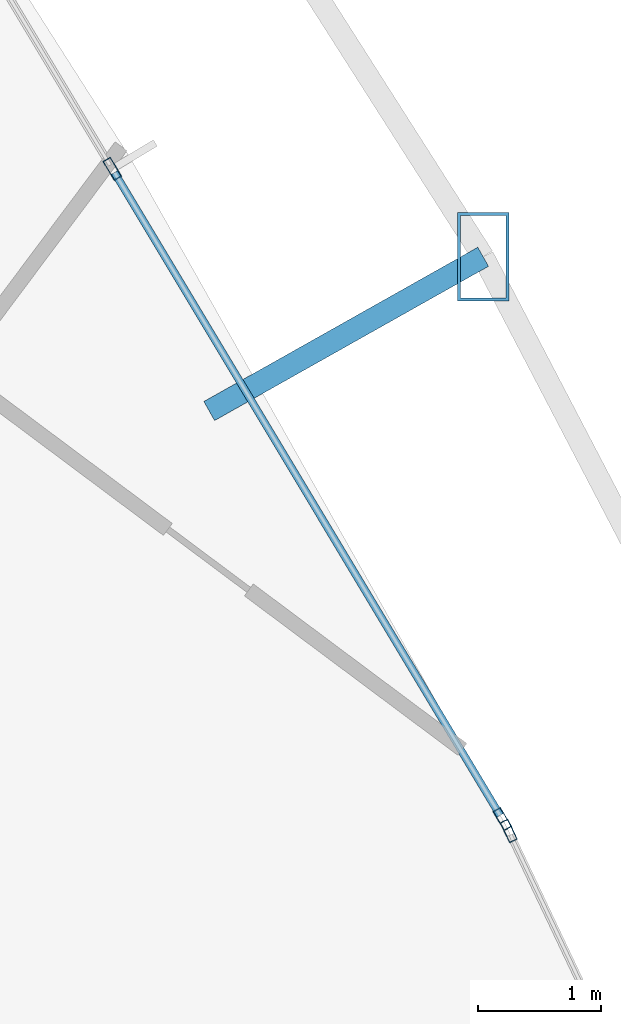
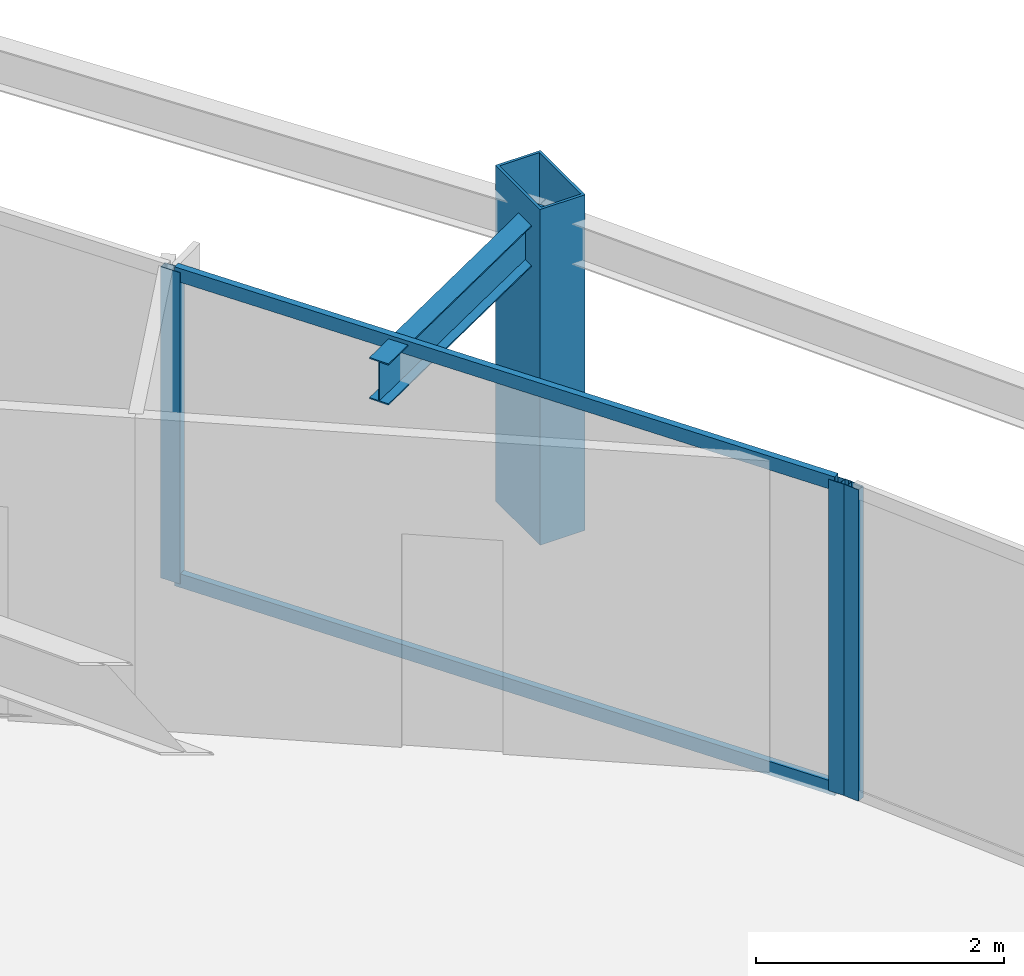
# One storey, part 18 of 34: 6 members, 1 beam, 2 elements without a shape of their own.
"""IFC4 building model written with IfcOpenShell, lengths in metres."""

import ifcopenshell
import ifcopenshell.guid

model = None  # the IFC model being written
_history = None  # IfcOwnerHistory: only IFC2X3 demands one
_inside = {}  # id of a spatial element -> (the spatial element, [elements in it])
_under = {}  # id of a project, library or spatial element -> (it, [spatial elements below it])
_declared = {}  # id of a project -> (the project, [libraries it declares])
_typed = {}  # id of a type object -> (the type object, [elements of that type])
_made_of = {}  # id of a material, layer set ... -> (it, [elements and type objects made of it])


def new_model(schema):
    """Start an empty IFC model of exactly this schema.

    Asked for "IFC4X3", IfcOpenShell would pick the latest addendum, in which some entities
    have other attributes; the version numbers below select the first issue.
    IFC2X3 requires an IfcOwnerHistory on every rooted entity: one is made here for all.
    """
    global model, _history
    if schema == "IFC4X3":
        model = ifcopenshell.file(schema_version=(4, 3, 0, 0))
    else:
        model = ifcopenshell.file(schema=schema)
    _inside.clear()
    _under.clear()
    _declared.clear()
    _typed.clear()
    _made_of.clear()
    _history = None
    if model.schema == "IFC2X3":
        org = make("IfcOrganization", Name="unknown")
        user = make(
            "IfcPersonAndOrganization",
            ThePerson=make("IfcPerson", FamilyName="unknown"),
            TheOrganization=org,
        )
        app = make(
            "IfcApplication",
            ApplicationDeveloper=org,
            Version="unknown",
            ApplicationFullName="unknown",
            ApplicationIdentifier="unknown",
        )
        _history = make(
            "IfcOwnerHistory",
            OwningUser=user,
            OwningApplication=app,
            ChangeAction="ADDED",
            CreationDate=0,
        )
    return model


def make(cls, **values):
    """One entity of the class cls with the attributes given. An attribute that is None is left unset."""
    return model.create_entity(
        cls, **{name: value for name, value in values.items() if value is not None}
    )


def rooted(cls, **values):
    """An entity with a GlobalId (a new one), such as an element, a storey or a relation."""
    return make(cls, GlobalId=ifcopenshell.guid.new(), OwnerHistory=_history, **values)


def si_unit(unit_type, name, prefix=None):
    """IfcSIUnit, for example si_unit("LENGTHUNIT", "METRE", prefix="MILLI")."""
    return make("IfcSIUnit", UnitType=unit_type, Prefix=prefix, Name=name)


def assignment(units):
    """IfcUnitAssignment: the units of a project."""
    return None if units is None else make("IfcUnitAssignment", Units=units)


def point(xyz):
    """IfcCartesianPoint."""
    return None if xyz is None else make("IfcCartesianPoint", Coordinates=xyz)


def direction(xyz):
    """IfcDirection."""
    return None if xyz is None else make("IfcDirection", DirectionRatios=xyz)


def frame(location, z_axis=None, x_axis=None):
    """IfcAxis2Placement3D, a coordinate frame: its origin and axes. An axis left out is left unset."""
    return make(
        "IfcAxis2Placement3D",
        Location=point(location),
        Axis=direction(z_axis),
        RefDirection=direction(x_axis),
    )


def frame_2d(location, x_axis=None):
    """IfcAxis2Placement2D, a coordinate frame in the plane: its origin and x axis."""
    return make(
        "IfcAxis2Placement2D", Location=point(location), RefDirection=direction(x_axis)
    )


def origin():
    """The frame at (0, 0, 0) with its axes left unset."""
    return frame((0.0, 0.0, 0.0))


def origin_2d():
    """The frame at (0, 0) in the plane with its x axis left unset."""
    return frame_2d((0.0, 0.0))


def place(relative_to, where):
    """IfcLocalPlacement: puts the frame where relative to a parent placement (None: the world)."""
    return make(
        "IfcLocalPlacement", PlacementRelTo=relative_to, RelativePlacement=where
    )


def context(
    kind, dimensions, precision=None, world=None, true_north=None, identifier=None
):
    """IfcGeometricRepresentationContext, for example the 3D "Model" context."""
    return make(
        "IfcGeometricRepresentationContext",
        ContextIdentifier=identifier,
        ContextType=kind,
        CoordinateSpaceDimension=dimensions,
        Precision=precision,
        WorldCoordinateSystem=world,
        TrueNorth=true_north,
    )


def subcontext(parent, identifier, kind, view, scale=None):
    """IfcGeometricRepresentationSubContext, for example "Body" below "Model"."""
    return make(
        "IfcGeometricRepresentationSubContext",
        ContextIdentifier=identifier,
        ContextType=kind,
        ParentContext=parent,
        TargetScale=scale,
        TargetView=view,
    )


def project(units=None, contexts=None):
    """IfcProject with its units and contexts."""
    return rooted(
        "IfcProject",
        Name="project",
        RepresentationContexts=contexts,
        UnitsInContext=assignment(units),
    )


def spatial(cls, under=None, at=None, **own):
    """A site, building, storey or space (cls), placed at a placement, below another one or the project."""
    s = rooted(cls, ObjectPlacement=at, **own)
    if under is not None:
        _under.setdefault(under.id(), (under, []))[1].append(s)
    return s


def profile(cls, at=None, kind="AREA", **sizes):
    """A parametric profile (cls). Its sizes go by their IFC names, for example OverallWidth=200.0."""
    return make(cls, ProfileType=kind, Position=at, **sizes)


def hollow_rectangle(**sizes):
    """IfcRectangleHollowProfileDef."""
    return profile("IfcRectangleHollowProfileDef", **sizes)


def i_section(**sizes):
    """IfcIShapeProfileDef."""
    return profile("IfcIShapeProfileDef", **sizes)


def extrude(swept, where, along, depth):
    """IfcExtrudedAreaSolid: the profile swept, set in the frame where, extruded along a direction by depth."""
    return make(
        "IfcExtrudedAreaSolid",
        SweptArea=swept,
        Position=where,
        ExtrudedDirection=direction(along),
        Depth=depth,
    )


def shape(context_of_items, identifier, shape_type, items):
    """IfcShapeRepresentation: the items that make up one representation, for example the "Body"."""
    return make(
        "IfcShapeRepresentation",
        ContextOfItems=context_of_items,
        RepresentationIdentifier=identifier,
        RepresentationType=shape_type,
        Items=items,
    )


def material(Name=None, Category=None):
    """IfcMaterial."""
    return make("IfcMaterial", Name=Name, Category=Category)


def layer(
    of_material, thickness, ventilated=None, Name=None, Category=None, Priority=None
):
    """IfcMaterialLayer: one layer of a wall or slab, of a material (None: an air gap)."""
    return make(
        "IfcMaterialLayer",
        Material=of_material,
        LayerThickness=thickness,
        IsVentilated=ventilated,
        Name=Name,
        Category=Category,
        Priority=Priority,
    )


def layer_set(layers, Name=None):
    """IfcMaterialLayerSet."""
    return make("IfcMaterialLayerSet", MaterialLayers=layers, LayerSetName=Name)


def material_profile(
    of_material, cross_section, Name=None, Category=None, Priority=None
):
    """IfcMaterialProfile: a cross section and its material."""
    return make(
        "IfcMaterialProfile",
        Name=Name,
        Material=of_material,
        Profile=cross_section,
        Priority=Priority,
        Category=Category,
    )


def profile_set(profiles, Name=None, composite=None):
    """IfcMaterialProfileSet."""
    return make(
        "IfcMaterialProfileSet",
        Name=Name,
        MaterialProfiles=profiles,
        CompositeProfile=composite,
    )


def made_of(thing, what):
    """Note that an element or type object is made of a material, layer set ...; save() writes the relation."""
    if what is not None:
        _made_of.setdefault(what.id(), (what, []))[1].append(thing)
    return thing


def type_object(cls, material=None, **own):
    """A type object (cls), such as IfcWallType, which elements share."""
    return made_of(rooted(cls, **own), material)


def element(
    cls,
    number,
    at=None,
    inside=None,
    cuts=None,
    type_object=None,
    material=None,
    context=None,
    identifier="Body",
    shape_type=None,
    held_by="IfcProductDefinitionShape",
    body=None,
    shapes=None,
    **own,
):
    """One element of the class cls, such as IfcWall. Its Tag is "e" and its number.

    at: its placement. inside: the storey or other place that contains it. cuts: it is an
    opening in that element (IfcRelVoidsElement). A single representation is given by context,
    identifier, shape_type and body (its items); several are given by shapes. held_by: the class
    of the entity that holds the representations. save() writes the other relations.
    """
    e = rooted(cls, Tag="e%d" % number, ObjectPlacement=at, **own)
    if body is not None:
        shapes = [shape(context, identifier, shape_type, body)]
    if shapes is not None:
        e.Representation = make(held_by, Representations=shapes)
    if inside is not None:
        _inside.setdefault(inside.id(), (inside, []))[1].append(e)
    if cuts is not None:
        rooted(
            "IfcRelVoidsElement", RelatingBuildingElement=cuts, RelatedOpeningElement=e
        )
    if type_object is not None:
        _typed.setdefault(type_object.id(), (type_object, []))[1].append(e)
    return made_of(e, material)


def aggregate(whole, parts):
    """IfcRelAggregates: a whole, such as a stair, and the parts it consists of."""
    return rooted("IfcRelAggregates", RelatingObject=whole, RelatedObjects=parts)


def save(model, path):
    """Write the relations noted so far, then the file.

    IfcRelAggregates (storeys below a building ...), IfcRelContainedInSpatialStructure (elements
    in a storey), IfcRelDefinesByType, IfcRelAssociatesMaterial and IfcRelDeclares: one each for
    every whole, place, type object, material and project.
    """
    for whole, parts in _under.values():
        aggregate(whole, parts)
    for where, things in _inside.values():
        rooted(
            "IfcRelContainedInSpatialStructure",
            RelatedElements=things,
            RelatingStructure=where,
        )
    for kind, things in _typed.values():
        rooted("IfcRelDefinesByType", RelatedObjects=things, RelatingType=kind)
    for what, things in _made_of.values():
        rooted("IfcRelAssociatesMaterial", RelatedObjects=things, RelatingMaterial=what)
    for by, libraries in _declared.values():
        rooted("IfcRelDeclares", RelatingContext=by, RelatedDefinitions=libraries)
    model.write(path)


model = new_model("IFC4")

# Units and contexts
model_context = context("Model", 3, precision=1e-05, world=origin(), true_north=direction((0.0, 1.0)))
body_context = subcontext(model_context, "Body", "Model", "MODEL_VIEW")
ifc_project = project(units=[si_unit("LENGTHUNIT", "METRE"), si_unit("AREAUNIT", "SQUARE_METRE"), si_unit("VOLUMEUNIT", "CUBIC_METRE"), si_unit("PLANEANGLEUNIT", "RADIAN"), si_unit("MASSUNIT", "GRAM", prefix="KILO")], contexts=[model_context])

# Site, building, storey
site_placement = place(None, origin())
site = spatial("IfcSite", under=ifc_project, at=site_placement, CompositionType="ELEMENT")
building_placement = place(site_placement, origin())
building = spatial("IfcBuilding", under=site, at=building_placement, Name="Orvanel Arch Residences", CompositionType="ELEMENT")
storey_placement = place(building_placement, frame((0.0, 0.0, 64.25)))
storey = spatial("IfcBuildingStorey", under=building, at=storey_placement, Name="L17", CompositionType="ELEMENT", Elevation=64.25)

# Member
ifc_material_1 = material(Name="Structural steel AS/NZS 3678 Grade 350", Category="steel")
ifc_material_profile_1 = material_profile(ifc_material_1, hollow_rectangle(XDim=0.419921875, YDim=0.719970703125, WallThickness=0.02490234375, at=origin_2d()), Name="RHS720x420x25")
ifc_profile_set_1 = profile_set([ifc_material_profile_1], Name="Structural steel AS/NZS 3678 Grade 350")
member_type_1 = type_object("IfcMemberType", Name="CH-720RHS-EXT", PredefinedType="CHORD", material=ifc_profile_set_1)
member_1_placement = place(storey_placement, frame((52.77587890625, 29.384033203125, 0.0), z_axis=(0.0, 0.0, 1.0), x_axis=(1.0, 0.0, 0.0)))
element("IfcMember", 1, at=member_1_placement, inside=storey, type_object=member_type_1, Name="L17 Outer Perimeter Frame Post 10", PredefinedType="CHORD", context=body_context, shape_type="SweptSolid", body=[
    extrude(hollow_rectangle(XDim=0.419921875, YDim=0.719970703125, WallThickness=0.02490234375, at=origin_2d()), origin(), (0.0, 0.0, 1.0), 3.300048828125),
])

# Curtain wall, member
ifc_material_2 = material(Name="Bronze-anodised aluminium AA6063-T6", Category="aluminium")
ifc_layer = layer(ifc_material_2, 0.179931640625)
ifc_layer_set = layer_set([ifc_layer], Name="Bronze-anodised aluminium AA6063-T6")
curtain_wall_type = type_object("IfcCurtainWallType", Name="CW2-LOW-SYS", PredefinedType="NOTDEFINED", material=ifc_layer_set)
curtain_wall_1_placement = place(storey_placement, origin())
curtain_wall_1 = element("IfcCurtainWall", 2, at=curtain_wall_1_placement, inside=storey, type_object=curtain_wall_type, Name="L17 CW2-LOW-SYS Unitised Curtain Wall", PredefinedType="NOTDEFINED")
ifc_material_profile_2 = material_profile(ifc_material_2, hollow_rectangle(XDim=0.070068359375, YDim=0.179931640625, WallThickness=0.00439453125, at=origin_2d()), Name="ALU180x70x4.5")
ifc_profile_set_2 = profile_set([ifc_material_profile_2], Name="Bronze-anodised aluminium AA6063-T6")
member_type_2 = type_object("IfcMemberType", Name="MUL-180x70", PredefinedType="MULLION", material=ifc_profile_set_2)
member_2_placement = place(storey_placement, frame((52.98291015625, 24.727294921875, 0.0), z_axis=(0.0, 0.0, 1.0), x_axis=(-0.903875434189, -0.427795745036, 0.0)))
member_2 = element("IfcMember", 3, at=member_2_placement, type_object=member_type_2, Name="CW-S2 mullion 3", PredefinedType="MULLION", context=body_context, shape_type="SweptSolid", body=[
    extrude(hollow_rectangle(XDim=0.070068359375, YDim=0.179931640625, WallThickness=0.00439453125, at=origin_2d()), origin(), (0.0, 0.0, 1.0), 3.06005859375),
])
aggregate(curtain_wall_1, [member_2])

# Curtain wall, members
curtain_wall_2_placement = place(storey_placement, origin())
curtain_wall_2 = element("IfcCurtainWall", 4, at=curtain_wall_2_placement, inside=storey, type_object=curtain_wall_type, Name="L17 CW2-LOW-SYS Unitised Curtain Wall", PredefinedType="NOTDEFINED")
member_3_placement = place(storey_placement, frame((52.930908203125, 24.823974609375, 0.0), z_axis=(0.0, 0.0, 1.0), x_axis=(-0.857549994674, -0.514400628533, 0.0)))
member_3 = element("IfcMember", 5, at=member_3_placement, type_object=member_type_2, Name="CW-S2 mullion 1", PredefinedType="MULLION", context=body_context, shape_type="SweptSolid", body=[
    extrude(hollow_rectangle(XDim=0.070068359375, YDim=0.179931640625, WallThickness=0.00439453125, at=origin_2d()), origin(), (0.0, 0.0, 1.0), 3.06005859375),
])
member_4_placement = place(storey_placement, frame((49.76806640625, 30.096923828125, 0.0), z_axis=(0.0, 0.0, 1.0), x_axis=(-0.857549994674, -0.514400628533, 0.0)))
member_4 = element("IfcMember", 6, at=member_4_placement, type_object=member_type_2, Name="CW-S2 mullion 2", PredefinedType="MULLION", context=body_context, shape_type="SweptSolid", body=[
    extrude(hollow_rectangle(XDim=0.070068359375, YDim=0.179931640625, WallThickness=0.00439453125, at=origin_2d()), origin(), (0.0, 0.0, 1.0), 3.06005859375),
])

# Beam
ifc_material_3 = material(Name="Structural steel AS/NZS 3679.1 Grade 300 (300 MPa)", Category="steel")
ifc_material_profile_3 = material_profile(ifc_material_3, i_section(OverallWidth=0.177978515625, OverallDepth=0.406005859375, WebThickness=0.0078125, FlangeThickness=0.0126953125, at=origin_2d()), Name="410UB59.7")
ifc_profile_set_3 = profile_set([ifc_material_profile_3], Name="Structural steel AS/NZS 3679.1 Grade 300 (300 MPa)")
beam_type = type_object("IfcBeamType", Name="OB-410UB-EXT", PredefinedType="SPANDREL", material=ifc_profile_set_3)
beam_placement = place(storey_placement, frame((50.553955078125, 28.133056640625, 2.85693359375), z_axis=(0.871383694473, 0.490602137181, 0.0), x_axis=(-0.490602137181, 0.871383694473, 0.0)))
element("IfcBeam", 7, at=beam_placement, inside=storey, type_object=beam_type, Name="L17 Outer Frame Radial Tie Beam 10", PredefinedType="SPANDREL", context=body_context, shape_type="SweptSolid", body=[
    extrude(i_section(OverallWidth=0.177978515625, OverallDepth=0.406005859375, WebThickness=0.0078125, FlangeThickness=0.0126953125, at=origin_2d()), origin(), (0.0, 0.0, 1.0), 2.5498046875),
])

# Member
ifc_material_profile_4 = material_profile(ifc_material_2, hollow_rectangle(XDim=0.06005859375, YDim=0.135009765625, WallThickness=0.00390625, at=origin_2d()), Name="ALU135x60x4")
ifc_profile_set_4 = profile_set([ifc_material_profile_4], Name="Bronze-anodised aluminium AA6063-T6")
member_type_3 = type_object("IfcMemberType", Name="TRN-135x60", PredefinedType="USERDEFINED", material=ifc_profile_set_4)
member_5_placement = place(storey_placement, frame((52.9130859375, 24.85400390625, 0.030029296875), z_axis=(-0.514430786549, 0.857531903692, 0.0), x_axis=(-0.857531903692, -0.514430786549, 0.0)))
member_5 = element("IfcMember", 8, at=member_5_placement, type_object=member_type_3, Name="CW-S2 transom 1.1", ObjectType="TRANSOM", PredefinedType="USERDEFINED", context=body_context, shape_type="SweptSolid", body=[
    extrude(hollow_rectangle(XDim=0.06005859375, YDim=0.135009765625, WallThickness=0.00390625, at=origin_2d()), origin(), (0.0, 0.0, 1.0), 6.078857421875),
])

member_6_placement = place(storey_placement, frame((52.9130859375, 24.85400390625, 3.030029296875), z_axis=(-0.514430786549, 0.857531903692, 0.0), x_axis=(-0.857531903692, -0.514430786549, 0.0)))
member_6 = element("IfcMember", 9, at=member_6_placement, type_object=member_type_3, Name="CW-S2 transom 1.2", ObjectType="TRANSOM", PredefinedType="USERDEFINED", context=body_context, shape_type="SweptSolid", body=[
    extrude(hollow_rectangle(XDim=0.06005859375, YDim=0.135009765625, WallThickness=0.00390625, at=origin_2d()), origin(), (0.0, 0.0, 1.0), 6.078857421875),
])

aggregate(curtain_wall_2, [member_3, member_4, member_5, member_6])

save(model, "model.ifc")
